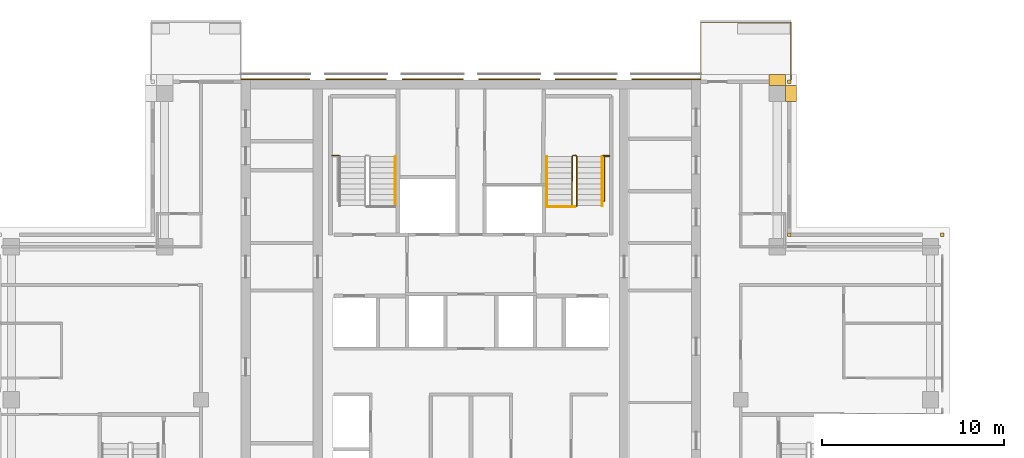
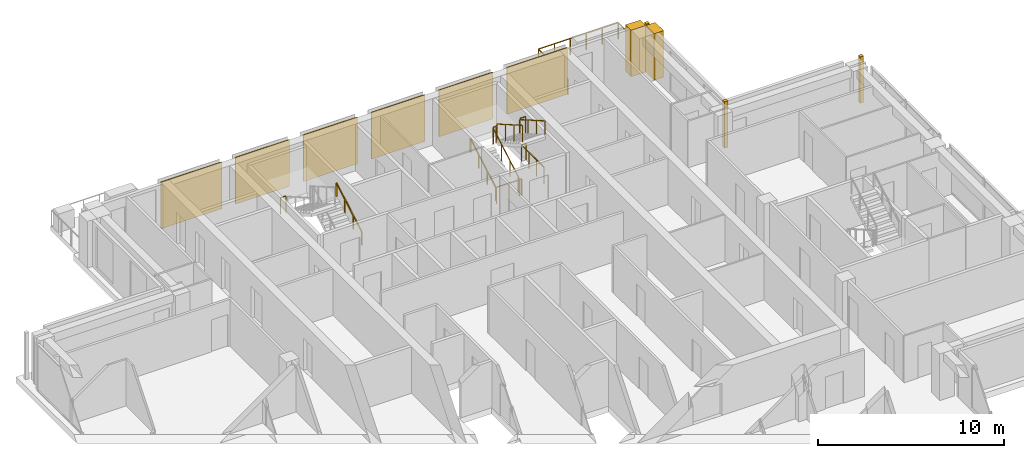
# One storey, part 19 of 19: 11 coverings, 9 railings.
"""IFC4 building model written with IfcOpenShell, lengths in metres."""

from ifc_helpers import new_model, si_unit, direction, frame, origin, origin_2d, place, context, subcontext, project, spatial, polyline, rectangle, outline, extrude, material, type_object, element, save


model = new_model("IFC4")

# Units and contexts
model_context = context("Model", 3, precision=1e-05, world=origin(), true_north=direction((0.0, 1.0)))
body_context = subcontext(model_context, "Body", "Model", "MODEL_VIEW")
ifc_project = project(units=[si_unit("LENGTHUNIT", "METRE"), si_unit("AREAUNIT", "SQUARE_METRE"), si_unit("VOLUMEUNIT", "CUBIC_METRE"), si_unit("PLANEANGLEUNIT", "RADIAN"), si_unit("MASSUNIT", "GRAM", prefix="KILO")], contexts=[model_context])

# Site, building, storey
site_placement = place(None, origin())
site = spatial("IfcSite", under=ifc_project, at=site_placement, CompositionType="ELEMENT")
building_placement = place(site_placement, origin())
building = spatial("IfcBuilding", under=site, at=building_placement, Name="Vermilion Ogive Tower", CompositionType="ELEMENT")
storey_placement = place(building_placement, frame((0.0, 0.0, 226.89990234375)))
storey = spatial("IfcBuildingStorey", under=building, at=storey_placement, Name="L59", CompositionType="ELEMENT", Elevation=226.89990234375)

# Railings
ifc_material_1 = material(Name="Stainless steel and glass", Category="steel")
railing_type_1 = type_object("IfcRailingType", Name="Balcony guard", PredefinedType="GUARDRAIL", material=ifc_material_1)
railing_1_placement = place(storey_placement, frame((17.550048828125, 21.75, -0.039794921875)))
element("IfcRailing", 1, at=railing_1_placement, inside=storey, type_object=railing_type_1, Name="Guard N101", PredefinedType="GUARDRAIL", context=body_context, shape_type="SweptSolid", body=[
    extrude(rectangle(XDim=0.048095703125, YDim=0.048095703125, at=origin_2d()), frame((0.0, 0.0, 1.076171875), z_axis=(0.0, 1.0, 0.0), x_axis=(-1.0, 0.0, 0.0)), (0.0, 0.0, 1.0), 3.159912109375),
    extrude(rectangle(XDim=0.048095703125, YDim=0.048095703125, at=origin_2d()), frame((0.0, 3.159912109375, 1.076171875), z_axis=(-1.0, 0.0, 0.0), x_axis=(0.0, -1.0, 0.0)), (0.0, 0.0, 1.0), 4.949951171875),
    extrude(rectangle(XDim=0.048095703125, YDim=0.048095703125, at=origin_2d()), frame((-4.949951171875, 3.159912109375, 1.076171875), z_axis=(0.0, -1.0, 0.0), x_axis=(1.0, 0.0, 0.0)), (0.0, 0.0, 1.0), 3.159912109375),
    extrude(rectangle(XDim=0.0419921875, YDim=0.0419921875, at=origin_2d()), origin(), (0.0, 0.0, 1.0), 1.052001953125),
    extrude(rectangle(XDim=0.0419921875, YDim=0.0419921875, at=origin_2d()), frame((0.0, 1.05322265625, 0.0)), (0.0, 0.0, 1.0), 1.052001953125),
    extrude(rectangle(XDim=0.0419921875, YDim=0.0419921875, at=origin_2d()), frame((0.0, 2.106689453125, 0.0)), (0.0, 0.0, 1.0), 1.052001953125),
    extrude(rectangle(XDim=0.0419921875, YDim=0.0419921875, at=origin_2d()), frame((0.0, 3.159912109375, 0.0)), (0.0, 0.0, 1.0), 1.052001953125),
    extrude(rectangle(XDim=0.0419921875, YDim=0.0419921875, at=origin_2d()), frame((-0.989990234375, 3.159912109375, 0.0)), (0.0, 0.0, 1.0), 1.052001953125),
    extrude(rectangle(XDim=0.0419921875, YDim=0.0419921875, at=origin_2d()), frame((-1.97998046875, 3.159912109375, 0.0)), (0.0, 0.0, 1.0), 1.052001953125),
    extrude(rectangle(XDim=0.0419921875, YDim=0.0419921875, at=origin_2d()), frame((-2.969970703125, 3.159912109375, 0.0)), (0.0, 0.0, 1.0), 1.052001953125),
    extrude(rectangle(XDim=0.0419921875, YDim=0.0419921875, at=origin_2d()), frame((-3.9599609375, 3.159912109375, 0.0)), (0.0, 0.0, 1.0), 1.052001953125),
    extrude(rectangle(XDim=0.0419921875, YDim=0.0419921875, at=origin_2d()), frame((-4.949951171875, 3.159912109375, 0.0)), (0.0, 0.0, 1.0), 1.052001953125),
    extrude(rectangle(XDim=0.0419921875, YDim=0.0419921875, at=origin_2d()), frame((-4.949951171875, 2.106689453125, 0.0)), (0.0, 0.0, 1.0), 1.052001953125),
    extrude(rectangle(XDim=0.0419921875, YDim=0.0419921875, at=origin_2d()), frame((-4.949951171875, 1.05322265625, 0.0)), (0.0, 0.0, 1.0), 1.052001953125),
    extrude(rectangle(XDim=0.0419921875, YDim=0.0419921875, at=origin_2d()), frame((-4.949951171875, 0.0, 0.0)), (0.0, 0.0, 1.0), 1.052001953125),
])
ifc_material_2 = material(Name="Steel S355 painted", Category="steel")
railing_type_2 = type_object("IfcRailingType", Name="Stair guard 1100", PredefinedType="GUARDRAIL", material=ifc_material_2)
railing_2_placement = place(storey_placement, frame((5.75, 14.800048828125, 0.0)))
element("IfcRailing", 2, at=railing_2_placement, inside=storey, type_object=railing_type_2, Name="L59 ST2 stair guard 4", PredefinedType="GUARDRAIL", context=body_context, shape_type="SweptSolid", body=[
    extrude(rectangle(XDim=0.048095703125, YDim=0.048095703125, at=origin_2d()), frame((0.0, 0.0, 1.076171875), z_axis=(-1.0, 0.0, 0.0), x_axis=(0.0, -1.0, 0.0)), (0.0, 0.0, 1.0), 0.14990234375),
    extrude(rectangle(XDim=0.048095703125, YDim=0.048095703125, at=origin_2d()), frame((-0.14990234375, 0.0, 1.076171875), z_axis=(-0.268277960024, 0.268277960024, 0.925231793839), x_axis=(-0.707106781187, -0.707106781187, 0.0)), (0.0, 0.0, 1.0), 0.1865234375),
    extrude(rectangle(XDim=0.048095703125, YDim=0.048095703125, at=origin_2d()), frame((-0.199951171875, 0.050048828125, 1.24853515625), z_axis=(0.0, 0.866903762492, 0.498475542607), x_axis=(-1.0, 0.0, 0.0)), (0.0, 0.0, 1.0), 3.114501953125),
    extrude(rectangle(XDim=0.048095703125, YDim=0.048095703125, at=origin_2d()), frame((-0.199951171875, 2.75, 2.80126953125), z_axis=(0.707106781187, 0.707106781187, 0.0), x_axis=(-0.707106781187, 0.707106781187, 0.0)), (0.0, 0.0, 1.0), 0.07080078125),
    extrude(rectangle(XDim=0.048095703125, YDim=0.048095703125, at=origin_2d()), frame((-0.14990234375, 2.800048828125, 2.80126953125), z_axis=(1.0, 0.0, 0.0), x_axis=(0.0, 1.0, 0.0)), (0.0, 0.0, 1.0), 0.14990234375),
    extrude(rectangle(XDim=0.048095703125, YDim=0.048095703125, at=origin_2d()), frame((0.0, 2.800048828125, 2.80126953125), z_axis=(0.268277960024, -0.268277960024, 0.925231793839), x_axis=(0.707106781187, 0.707106781187, 0.0)), (0.0, 0.0, 1.0), 0.1865234375),
    extrude(rectangle(XDim=0.048095703125, YDim=0.048095703125, at=origin_2d()), frame((0.050048828125, 2.75, 2.9736328125), z_axis=(0.0, -0.866903762492, 0.498475542607), x_axis=(1.0, 0.0, 0.0)), (0.0, 0.0, 1.0), 3.114501953125),
    extrude(rectangle(XDim=0.0419921875, YDim=0.0419921875, at=origin_2d()), origin(), (0.0, 0.0, 1.0), 1.052001953125),
    extrude(rectangle(XDim=0.0419921875, YDim=0.0419921875, at=origin_2d()), frame((-0.14990234375, 0.0, 0.0)), (0.0, 0.0, 1.0), 1.052001953125),
    extrude(rectangle(XDim=0.0419921875, YDim=0.0419921875, at=origin_2d()), frame((-0.199951171875, 0.050048828125, 0.172607421875)), (0.0, 0.0, 1.0), 1.052001953125),
    extrude(rectangle(XDim=0.0419921875, YDim=0.0419921875, at=origin_2d()), frame((-0.199951171875, 0.949951171875, 0.690185546875)), (0.0, 0.0, 1.0), 1.052001953125),
    extrude(rectangle(XDim=0.0419921875, YDim=0.0419921875, at=origin_2d()), frame((-0.199951171875, 1.85009765625, 1.20751953125)), (0.0, 0.0, 1.0), 1.052001953125),
    extrude(rectangle(XDim=0.0419921875, YDim=0.0419921875, at=origin_2d()), frame((-0.199951171875, 2.75, 1.72509765625)), (0.0, 0.0, 1.0), 1.052001953125),
    extrude(rectangle(XDim=0.0419921875, YDim=0.0419921875, at=origin_2d()), frame((-0.14990234375, 2.800048828125, 1.72509765625)), (0.0, 0.0, 1.0), 1.052001953125),
    extrude(rectangle(XDim=0.0419921875, YDim=0.0419921875, at=origin_2d()), frame((0.0, 2.800048828125, 1.72509765625)), (0.0, 0.0, 1.0), 1.052001953125),
    extrude(rectangle(XDim=0.0419921875, YDim=0.0419921875, at=origin_2d()), frame((0.050048828125, 2.75, 1.897705078125)), (0.0, 0.0, 1.0), 1.052001953125),
    extrude(rectangle(XDim=0.0419921875, YDim=0.0419921875, at=origin_2d()), frame((0.050048828125, 1.85009765625, 2.415283203125)), (0.0, 0.0, 1.0), 1.052001953125),
    extrude(rectangle(XDim=0.0419921875, YDim=0.0419921875, at=origin_2d()), frame((0.050048828125, 0.949951171875, 2.9326171875)), (0.0, 0.0, 1.0), 1.052001953125),
    extrude(rectangle(XDim=0.0419921875, YDim=0.0419921875, at=origin_2d()), frame((0.050048828125, 0.050048828125, 3.4501953125)), (0.0, 0.0, 1.0), 1.052001953125),
])
for number, where, name in (
    (3, (-7.60009765625, 17.60009765625, 1.72509765625), "L59 landing guard"),
    (4, (7.25, 17.60009765625, 1.72509765625), "L59 landing guard"),
):
    element("IfcRailing", number, at=place(storey_placement, frame(where)), inside=storey, type_object=railing_type_2, Name=name, PredefinedType="GUARDRAIL", context=body_context, shape_type="SweptSolid", body=[
        extrude(rectangle(XDim=0.048095703125, YDim=0.048095703125, at=origin_2d()), frame((0.0, 0.0, 1.076171875), z_axis=(1.0, 0.0, 0.0), x_axis=(0.0, 1.0, 0.0)), (0.0, 0.0, 1.0), 0.35009765625),
        extrude(rectangle(XDim=0.0419921875, YDim=0.0419921875, at=origin_2d()), origin(), (0.0, 0.0, 1.0), 1.052001953125),
        extrude(rectangle(XDim=0.0419921875, YDim=0.0419921875, at=origin_2d()), frame((0.35009765625, 0.0, 0.0)), (0.0, 0.0, 1.0), 1.052001953125),
    ])
railing_3_placement = place(storey_placement, frame((7.599609375, 17.54296875, 0.0)))
element("IfcRailing", 5, at=railing_3_placement, inside=storey, type_object=railing_type_2, Name="L59 stair opening guard", PredefinedType="GUARDRAIL", context=body_context, shape_type="SweptSolid", body=[
    extrude(rectangle(XDim=0.048095703125, YDim=0.048095703125, at=origin_2d()), frame((0.0, 0.0, 1.076171875), z_axis=(-1.0, 0.0, 0.0), x_axis=(0.0, -1.0, 0.0)), (0.0, 0.0, 1.0), 0.2900390625),
    extrude(rectangle(XDim=0.048095703125, YDim=0.048095703125, at=origin_2d()), frame((-0.2900390625, 0.0, 1.076171875), z_axis=(0.0, -1.0, 0.0), x_axis=(1.0, 0.0, 0.0)), (0.0, 0.0, 1.0), 2.42431640625),
    extrude(rectangle(XDim=0.0419921875, YDim=0.0419921875, at=origin_2d()), origin(), (0.0, 0.0, 1.0), 1.052001953125),
    extrude(rectangle(XDim=0.0419921875, YDim=0.0419921875, at=origin_2d()), frame((-0.2900390625, 0.0, 0.0)), (0.0, 0.0, 1.0), 1.052001953125),
    extrude(rectangle(XDim=0.0419921875, YDim=0.0419921875, at=origin_2d()), frame((-0.2900390625, -0.80810546875, 0.0)), (0.0, 0.0, 1.0), 1.052001953125),
    extrude(rectangle(XDim=0.0419921875, YDim=0.0419921875, at=origin_2d()), frame((-0.2900390625, -1.6162109375, 0.0)), (0.0, 0.0, 1.0), 1.052001953125),
    extrude(rectangle(XDim=0.0419921875, YDim=0.0419921875, at=origin_2d()), frame((-0.2900390625, -2.42431640625, 0.0)), (0.0, 0.0, 1.0), 1.052001953125),
])
railing_4_placement = place(storey_placement, frame((5.699951171875, 14.7900390625, 0.0)))
element("IfcRailing", 6, at=railing_4_placement, inside=storey, type_object=railing_type_2, Name="L59 stair opening guard", PredefinedType="GUARDRAIL", context=body_context, shape_type="SweptSolid", body=[
    extrude(rectangle(XDim=0.048095703125, YDim=0.048095703125, at=origin_2d()), frame((0.0, 0.0, 1.076171875), z_axis=(-1.0, 0.0, 0.0), x_axis=(0.0, -1.0, 0.0)), (0.0, 0.0, 1.0), 1.5400390625),
    extrude(rectangle(XDim=0.0419921875, YDim=0.0419921875, at=origin_2d()), origin(), (0.0, 0.0, 1.0), 1.052001953125),
    extrude(rectangle(XDim=0.0419921875, YDim=0.0419921875, at=origin_2d()), frame((-0.77001953125, 0.0, 0.0)), (0.0, 0.0, 1.0), 1.052001953125),
    extrude(rectangle(XDim=0.0419921875, YDim=0.0419921875, at=origin_2d()), frame((-1.5400390625, 0.0, 0.0)), (0.0, 0.0, 1.0), 1.052001953125),
])
ifc_material_3 = material(Name="Stainless steel", Category="steel")
railing_type_3 = type_object("IfcRailingType", Name="Stair handrail 900", PredefinedType="HANDRAIL", material=ifc_material_3)
for number, where, name in (
    (7, (-4.14990234375, 14.85009765625, 0.172607421875), "L59 ST1 stair handrail 1"),
    (8, (4.14990234375, 14.85009765625, 0.172607421875), "L59 ST2 stair handrail 1"),
):
    element("IfcRailing", number, at=place(storey_placement, frame(where)), inside=storey, type_object=railing_type_3, Name=name, PredefinedType="HANDRAIL", context=body_context, shape_type="SweptSolid", body=[
        extrude(rectangle(XDim=0.048095703125, YDim=0.048095703125, at=origin_2d()), frame((0.0, 0.0, 0.8759765625), z_axis=(0.0, 0.866903762492, 0.498475542607), x_axis=(-1.0, 0.0, 0.0)), (0.0, 0.0, 1.0), 3.114501953125),
        extrude(rectangle(XDim=0.0419921875, YDim=0.0419921875, at=origin_2d()), origin(), (0.0, 0.0, 1.0), 0.851806640625),
        extrude(rectangle(XDim=0.0419921875, YDim=0.0419921875, at=origin_2d()), frame((0.0, 0.89990234375, 0.517578125)), (0.0, 0.0, 1.0), 0.851806640625),
        extrude(rectangle(XDim=0.0419921875, YDim=0.0419921875, at=origin_2d()), frame((0.0, 1.800048828125, 1.034912109375)), (0.0, 0.0, 1.0), 0.851806640625),
        extrude(rectangle(XDim=0.0419921875, YDim=0.0419921875, at=origin_2d()), frame((0.0, 2.699951171875, 1.552490234375)), (0.0, 0.0, 1.0), 0.851806640625),
    ])
railing_5_placement = place(storey_placement, frame((7.199951171875, 17.550048828125, 1.897705078125)))
element("IfcRailing", 9, at=railing_5_placement, inside=storey, type_object=railing_type_3, Name="L59 ST2 stair handrail 2", PredefinedType="HANDRAIL", context=body_context, shape_type="SweptSolid", body=[
    extrude(rectangle(XDim=0.048095703125, YDim=0.048095703125, at=origin_2d()), frame((0.0, 0.0, 0.8759765625), z_axis=(0.0, -0.866903762492, 0.498475542607), x_axis=(1.0, 0.0, 0.0)), (0.0, 0.0, 1.0), 3.114501953125),
    extrude(rectangle(XDim=0.0419921875, YDim=0.0419921875, at=origin_2d()), origin(), (0.0, 0.0, 1.0), 0.851806640625),
    extrude(rectangle(XDim=0.0419921875, YDim=0.0419921875, at=origin_2d()), frame((0.0, -0.89990234375, 0.517578125)), (0.0, 0.0, 1.0), 0.851806640625),
    extrude(rectangle(XDim=0.0419921875, YDim=0.0419921875, at=origin_2d()), frame((0.0, -1.800048828125, 1.034912109375)), (0.0, 0.0, 1.0), 0.851806640625),
    extrude(rectangle(XDim=0.0419921875, YDim=0.0419921875, at=origin_2d()), frame((0.0, -2.699951171875, 1.552490234375)), (0.0, 0.0, 1.0), 0.851806640625),
])

# Coverings
ifc_material_4 = material(Name="Stone cladding", Category="masonry")
covering_type_1 = type_object("IfcCoveringType", Name="Stone cladding panel", PredefinedType="CLADDING", material=ifc_material_4)
covering_1_placement = place(storey_placement, origin())
element("IfcCovering", 10, at=covering_1_placement, inside=storey, type_object=covering_type_1, Name="Stone cladding panel N1", PredefinedType="CLADDING", context=body_context, shape_type="SweptSolid", body=[
    extrude(outline(polyline([(-12.590087890625, 21.75), (-8.830078125, 21.75), (-8.830078125, 21.81005859375), (-12.590087890625, 21.81005859375), (-12.590087890625, 21.75)])), origin(), (0.0, 0.0, 1.0), 3.050048828125),
])
covering_2_placement = place(storey_placement, origin())
element("IfcCovering", 11, at=covering_2_placement, inside=storey, type_object=covering_type_1, Name="Stone cladding panel N2", PredefinedType="CLADDING", context=body_context, shape_type="SweptSolid", body=[
    extrude(outline(polyline([(-7.969970703125, 21.75), (-4.6298828125, 21.75), (-4.6298828125, 21.81005859375), (-7.969970703125, 21.81005859375), (-7.969970703125, 21.75)])), origin(), (0.0, 0.0, 1.0), 3.050048828125),
])
covering_3_placement = place(storey_placement, origin())
element("IfcCovering", 12, at=covering_3_placement, inside=storey, type_object=covering_type_1, Name="Stone cladding panel N3", PredefinedType="CLADDING", context=body_context, shape_type="SweptSolid", body=[
    extrude(outline(polyline([(-3.77001953125, 21.75), (-0.429931640625, 21.75), (-0.429931640625, 21.81005859375), (-3.77001953125, 21.81005859375), (-3.77001953125, 21.75)])), origin(), (0.0, 0.0, 1.0), 3.050048828125),
])
covering_4_placement = place(storey_placement, origin())
element("IfcCovering", 13, at=covering_4_placement, inside=storey, type_object=covering_type_1, Name="Stone cladding panel N4", PredefinedType="CLADDING", context=body_context, shape_type="SweptSolid", body=[
    extrude(outline(polyline([(0.429931640625, 21.75), (3.77001953125, 21.75), (3.77001953125, 21.81005859375), (0.429931640625, 21.81005859375), (0.429931640625, 21.75)])), origin(), (0.0, 0.0, 1.0), 3.050048828125),
])
covering_5_placement = place(storey_placement, origin())
element("IfcCovering", 14, at=covering_5_placement, inside=storey, type_object=covering_type_1, Name="Stone cladding panel N5", PredefinedType="CLADDING", context=body_context, shape_type="SweptSolid", body=[
    extrude(outline(polyline([(4.6298828125, 21.75), (7.969970703125, 21.75), (7.969970703125, 21.81005859375), (4.6298828125, 21.81005859375), (4.6298828125, 21.75)])), origin(), (0.0, 0.0, 1.0), 3.050048828125),
])
covering_6_placement = place(storey_placement, origin())
element("IfcCovering", 15, at=covering_6_placement, inside=storey, type_object=covering_type_1, Name="Stone cladding panel N6", PredefinedType="CLADDING", context=body_context, shape_type="SweptSolid", body=[
    extrude(outline(polyline([(8.830078125, 21.75), (12.590087890625, 21.75), (12.590087890625, 21.81005859375), (8.830078125, 21.81005859375), (8.830078125, 21.75)])), origin(), (0.0, 0.0, 1.0), 3.050048828125),
])
ifc_material_5 = material(Name="Stone cladding", Category="masonry")
covering_type_2 = type_object("IfcCoveringType", Name="Stone pier", PredefinedType="CLADDING", material=ifc_material_5)
covering_7_placement = place(storey_placement, origin())
element("IfcCovering", 16, at=covering_7_placement, inside=storey, type_object=covering_type_2, Name="Stone corner pier EE1", PredefinedType="CLADDING", context=body_context, shape_type="SweptSolid", body=[
    extrude(outline(polyline([(25.75, 13.14990234375), (25.75, 13.35009765625), (25.949951171875, 13.35009765625), (25.949951171875, 13.14990234375), (25.75, 13.14990234375)])), origin(), (0.0, 0.0, 1.0), 3.050048828125),
])
covering_8_placement = place(storey_placement, origin())
element("IfcCovering", 17, at=covering_8_placement, inside=storey, type_object=covering_type_2, Name="Stone corner pier X3E1", PredefinedType="CLADDING", context=body_context, shape_type="SweptSolid", body=[
    extrude(outline(polyline([(17.35009765625, 13.14990234375), (17.35009765625, 13.35009765625), (17.550048828125, 13.35009765625), (17.550048828125, 13.14990234375), (17.35009765625, 13.14990234375)])), origin(), (0.0, 0.0, 1.0), 3.050048828125),
])
covering_9_placement = place(storey_placement, origin())
element("IfcCovering", 18, at=covering_9_placement, inside=storey, type_object=covering_type_2, Name="Stone corner pier X4E1", PredefinedType="CLADDING", context=body_context, shape_type="SweptSolid", body=[
    extrude(outline(polyline([(17.35009765625, 21.550048828125), (17.35009765625, 21.75), (17.550048828125, 21.75), (17.550048828125, 21.550048828125), (17.35009765625, 21.550048828125)])), origin(), (0.0, 0.0, 1.0), 3.050048828125),
])
covering_10_placement = place(storey_placement, origin())
element("IfcCovering", 19, at=covering_10_placement, inside=storey, type_object=covering_type_2, Name="Stone pier P+0168+210X4", PredefinedType="CLADDING", context=body_context, shape_type="SweptSolid", body=[
    extrude(outline(polyline([(17.85009765625, 21.449951171875), (17.85009765625, 20.550048828125), (17.25, 20.550048828125), (17.25, 21.449951171875), (17.85009765625, 21.449951171875)])), origin(), (0.0, 0.0, 1.0), 3.050048828125),
])
covering_11_placement = place(storey_placement, origin())
element("IfcCovering", 20, at=covering_11_placement, inside=storey, type_object=covering_type_2, Name="Stone pier P+0168+210N1", PredefinedType="CLADDING", context=body_context, shape_type="SweptSolid", body=[
    extrude(outline(polyline([(17.25, 22.050048828125), (17.25, 21.449951171875), (16.35009765625, 21.449951171875), (16.35009765625, 22.050048828125), (17.25, 22.050048828125)])), origin(), (0.0, 0.0, 1.0), 3.050048828125),
])

save(model, "model.ifc")
